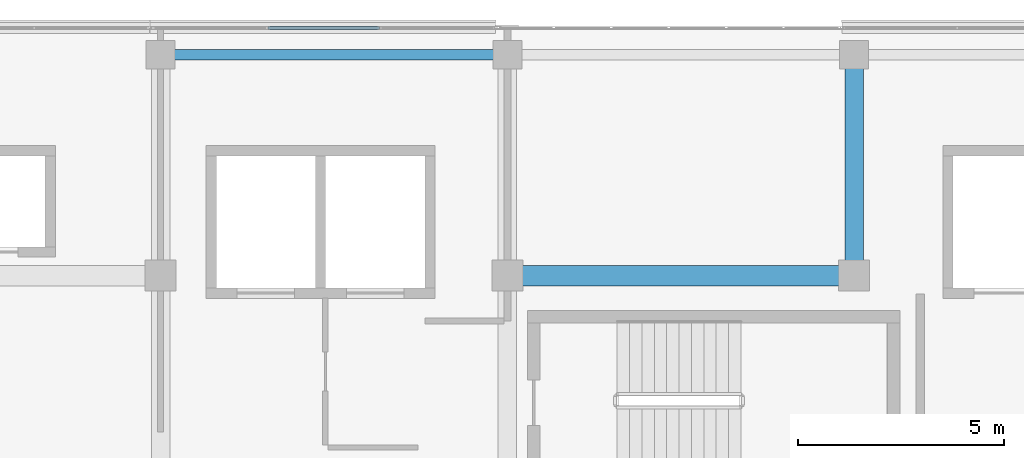
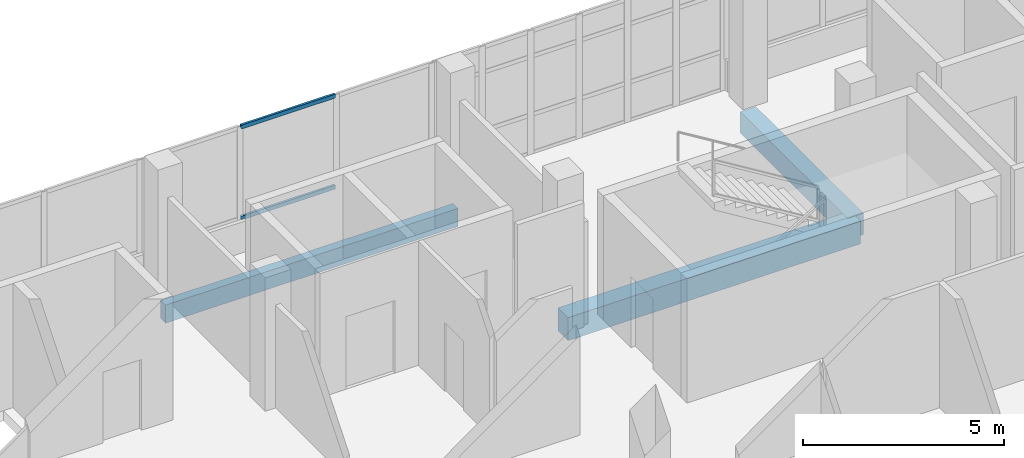
# One storey, part 52 of 101: 3 beams, 2 members, 1 element without a shape of its own.
"""IFC4 building model written with IfcOpenShell, lengths in metres."""

from ifc_helpers import new_model, si_unit, direction, frame, origin, origin_2d, place, context, subcontext, project, spatial, rectangle, hollow_rectangle, extrude, material, material_profile, profile_set, type_object, element, aggregate, save


model = new_model("IFC4")

# Units and contexts
model_context = context("Model", 3, precision=1e-05, world=origin(), true_north=direction((0.0, 1.0)))
body_context = subcontext(model_context, "Body", "Model", "MODEL_VIEW")
ifc_project = project(units=[si_unit("LENGTHUNIT", "METRE"), si_unit("AREAUNIT", "SQUARE_METRE"), si_unit("VOLUMEUNIT", "CUBIC_METRE"), si_unit("PLANEANGLEUNIT", "RADIAN"), si_unit("MASSUNIT", "GRAM", prefix="KILO")], contexts=[model_context])

# Site, building, storey
site_placement = place(None, origin())
site = spatial("IfcSite", under=ifc_project, at=site_placement, CompositionType="ELEMENT")
building_placement = place(site_placement, origin())
building = spatial("IfcBuilding", under=site, at=building_placement, Name="Selatvlak General Hospital", CompositionType="ELEMENT")
storey_placement = place(building_placement, frame((0.0, 0.0, 19.199951171875)))
storey = spatial("IfcBuildingStorey", under=building, at=storey_placement, Name="L04", CompositionType="ELEMENT", Elevation=19.199951171875)

# Beams
ifc_material_1 = material(Name="Concrete C40/50", Category="concrete")
ifc_material_profile_1 = material_profile(ifc_material_1, rectangle(XDim=0.5, YDim=0.699951171875, at=origin_2d()), Name="RC-BM 500x700")
ifc_profile_set_1 = profile_set([ifc_material_profile_1], Name="Concrete C40/50")
beam_type_1 = type_object("IfcBeamType", Name="BM-G03", PredefinedType="BEAM", material=ifc_profile_set_1)
beam_1_placement = place(storey_placement, frame((132.0, 114.0, -0.655029296875), z_axis=(1.0, 0.0, 0.0), x_axis=(0.0, 1.0, 0.0)))
element("IfcBeam", 1, at=beam_1_placement, inside=storey, type_object=beam_type_1, Name="Beam BMR-L04-1622", PredefinedType="BEAM", context=body_context, shape_type="SweptSolid", body=[
    extrude(rectangle(XDim=0.5, YDim=0.699951171875, at=origin_2d()), origin(), (0.0, 0.0, 1.0), 8.39990234375),
])
ifc_material_profile_2 = material_profile(ifc_material_1, rectangle(XDim=0.449951171875, YDim=0.64990234375, at=origin_2d()), Name="RC-BM 450x650")
ifc_profile_set_2 = profile_set([ifc_material_profile_2], Name="Concrete C40/50")
beam_type_2 = type_object("IfcBeamType", Name="BM-G04", PredefinedType="BEAM", material=ifc_profile_set_2)
beam_2_placement = place(storey_placement, frame((140.39990234375, 114.0, -0.6298828125), z_axis=(0.0, 1.0, 0.0), x_axis=(-1.0, 0.0, 0.0)))
element("IfcBeam", 2, at=beam_2_placement, inside=storey, type_object=beam_type_2, Name="Beam BMR-L04-1730", PredefinedType="BEAM", context=body_context, shape_type="SweptSolid", body=[
    extrude(rectangle(XDim=0.449951171875, YDim=0.64990234375, at=origin_2d()), origin(), (0.0, 0.0, 1.0), 5.35009765625),
])
ifc_material_profile_3 = material_profile(ifc_material_1, rectangle(XDim=0.25, YDim=0.550048828125, at=origin_2d()), Name="RC-SP 250x550")
ifc_profile_set_3 = profile_set([ifc_material_profile_3], Name="Concrete C40/50")
beam_type_3 = type_object("IfcBeamType", Name="BM-SP2", PredefinedType="SPANDREL", material=ifc_profile_set_3)
beam_3_placement = place(storey_placement, frame((123.60009765625, 119.35009765625, -0.579833984375), z_axis=(1.0, 0.0, 0.0), x_axis=(0.0, 1.0, 0.0)))
element("IfcBeam", 3, at=beam_3_placement, inside=storey, type_object=beam_type_3, Name="Beam BMR-L04-1636", PredefinedType="SPANDREL", context=body_context, shape_type="SweptSolid", body=[
    extrude(rectangle(XDim=0.25, YDim=0.550048828125, at=origin_2d()), origin(), (0.0, 0.0, 1.0), 8.39990234375),
])

# Curtain wall, members
ifc_material_2 = material(Name="Solar-control Low-E double glazing", Category="glass")
curtain_wall_type = type_object("IfcCurtainWallType", Name="CW-CW-01", PredefinedType="USERDEFINED", material=ifc_material_2)
curtain_wall_placement = place(storey_placement, origin())
curtain_wall = element("IfcCurtainWall", 4, at=curtain_wall_placement, inside=storey, type_object=curtain_wall_type, Name="Glazed facade curtain wall CW-L04-0493", ObjectType="UNITISED CURTAIN WALL", PredefinedType="USERDEFINED")
ifc_material_3 = material(Name="Dark anodised aluminium mullion", Category="aluminium")
ifc_material_profile_4 = material_profile(ifc_material_3, hollow_rectangle(XDim=0.06494140625, YDim=0.1201171875, WallThickness=0.00390625, at=origin_2d()), Name="AL-TRN 65x120x4")
ifc_profile_set_4 = profile_set([ifc_material_profile_4], Name="Dark anodised aluminium mullion")
member_type = type_object("IfcMemberType", Name="CWT-01", PredefinedType="USERDEFINED", material=ifc_profile_set_4)
member_1_placement = place(storey_placement, frame((126.203125, 120.0, 0.97265625), z_axis=(1.0, 0.0, 0.0), x_axis=(0.0, 1.0, 0.0)))
member_1 = element("IfcMember", 5, at=member_1_placement, type_object=member_type, Name="CW-01 transom 2.1", ObjectType="TRANSOM", PredefinedType="USERDEFINED", context=body_context, shape_type="SweptSolid", body=[
    extrude(hollow_rectangle(XDim=0.06494140625, YDim=0.1201171875, WallThickness=0.00390625, at=origin_2d()), origin(), (0.0, 0.0, 1.0), 2.70166015625),
])
member_2_placement = place(storey_placement, frame((126.203125, 120.0, 3.737548828125), z_axis=(1.0, 0.0, 0.0), x_axis=(0.0, 1.0, 0.0)))
member_2 = element("IfcMember", 6, at=member_2_placement, type_object=member_type, Name="CW-01 transom 2.2", ObjectType="TRANSOM", PredefinedType="USERDEFINED", context=body_context, shape_type="SweptSolid", body=[
    extrude(hollow_rectangle(XDim=0.06494140625, YDim=0.1201171875, WallThickness=0.00390625, at=origin_2d()), origin(), (0.0, 0.0, 1.0), 2.70166015625),
])
aggregate(curtain_wall, [member_1, member_2])

save(model, "model.ifc")
